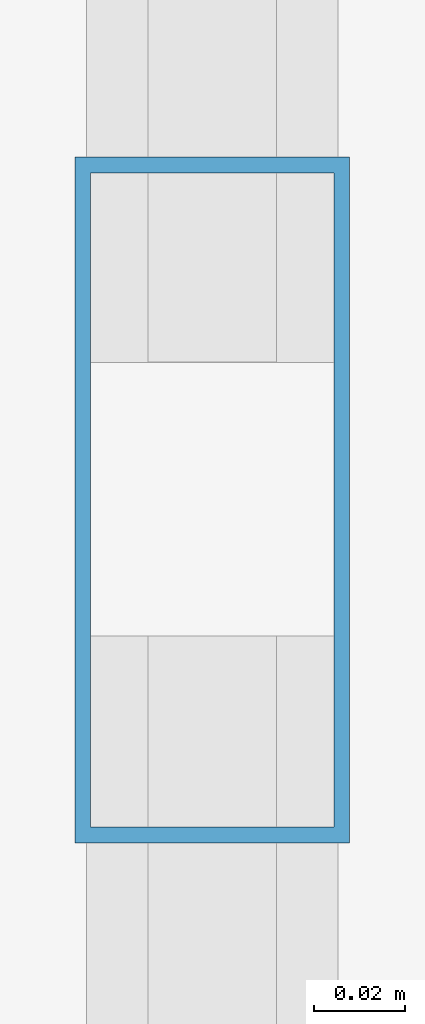
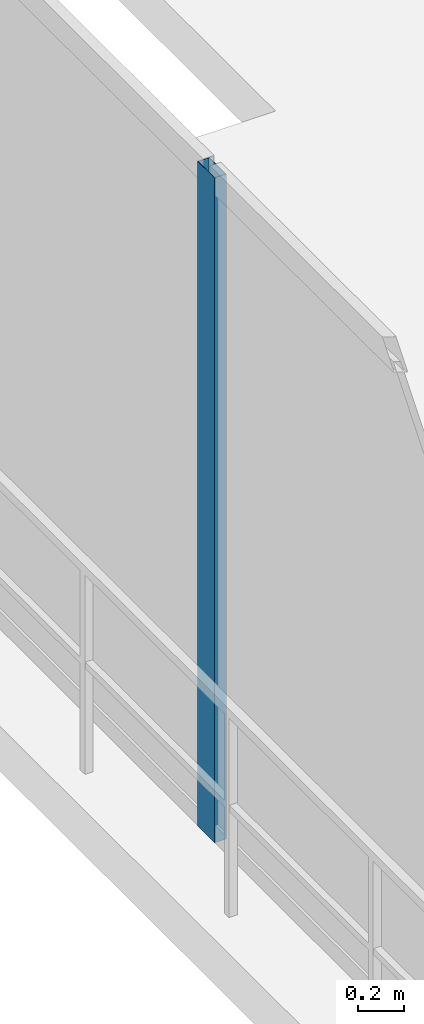
# One storey, part 10 of 27: 1 member, 1 element without a shape of its own.
"""IFC4 building model written with IfcOpenShell, lengths in metres."""

import ifcopenshell
import ifcopenshell.guid

model = None  # the IFC model being written
_history = None  # IfcOwnerHistory: only IFC2X3 demands one
_inside = {}  # id of a spatial element -> (the spatial element, [elements in it])
_under = {}  # id of a project, library or spatial element -> (it, [spatial elements below it])
_declared = {}  # id of a project -> (the project, [libraries it declares])
_typed = {}  # id of a type object -> (the type object, [elements of that type])
_made_of = {}  # id of a material, layer set ... -> (it, [elements and type objects made of it])


def new_model(schema):
    """Start an empty IFC model of exactly this schema.

    Asked for "IFC4X3", IfcOpenShell would pick the latest addendum, in which some entities
    have other attributes; the version numbers below select the first issue.
    IFC2X3 requires an IfcOwnerHistory on every rooted entity: one is made here for all.
    """
    global model, _history
    if schema == "IFC4X3":
        model = ifcopenshell.file(schema_version=(4, 3, 0, 0))
    else:
        model = ifcopenshell.file(schema=schema)
    _inside.clear()
    _under.clear()
    _declared.clear()
    _typed.clear()
    _made_of.clear()
    _history = None
    if model.schema == "IFC2X3":
        org = make("IfcOrganization", Name="unknown")
        user = make(
            "IfcPersonAndOrganization",
            ThePerson=make("IfcPerson", FamilyName="unknown"),
            TheOrganization=org,
        )
        app = make(
            "IfcApplication",
            ApplicationDeveloper=org,
            Version="unknown",
            ApplicationFullName="unknown",
            ApplicationIdentifier="unknown",
        )
        _history = make(
            "IfcOwnerHistory",
            OwningUser=user,
            OwningApplication=app,
            ChangeAction="ADDED",
            CreationDate=0,
        )
    return model


def make(cls, **values):
    """One entity of the class cls with the attributes given. An attribute that is None is left unset."""
    return model.create_entity(
        cls, **{name: value for name, value in values.items() if value is not None}
    )


def rooted(cls, **values):
    """An entity with a GlobalId (a new one), such as an element, a storey or a relation."""
    return make(cls, GlobalId=ifcopenshell.guid.new(), OwnerHistory=_history, **values)


def si_unit(unit_type, name, prefix=None):
    """IfcSIUnit, for example si_unit("LENGTHUNIT", "METRE", prefix="MILLI")."""
    return make("IfcSIUnit", UnitType=unit_type, Prefix=prefix, Name=name)


def assignment(units):
    """IfcUnitAssignment: the units of a project."""
    return None if units is None else make("IfcUnitAssignment", Units=units)


def point(xyz):
    """IfcCartesianPoint."""
    return None if xyz is None else make("IfcCartesianPoint", Coordinates=xyz)


def direction(xyz):
    """IfcDirection."""
    return None if xyz is None else make("IfcDirection", DirectionRatios=xyz)


def frame(location, z_axis=None, x_axis=None):
    """IfcAxis2Placement3D, a coordinate frame: its origin and axes. An axis left out is left unset."""
    return make(
        "IfcAxis2Placement3D",
        Location=point(location),
        Axis=direction(z_axis),
        RefDirection=direction(x_axis),
    )


def frame_2d(location, x_axis=None):
    """IfcAxis2Placement2D, a coordinate frame in the plane: its origin and x axis."""
    return make(
        "IfcAxis2Placement2D", Location=point(location), RefDirection=direction(x_axis)
    )


def origin():
    """The frame at (0, 0, 0) with its axes left unset."""
    return frame((0.0, 0.0, 0.0))


def origin_2d():
    """The frame at (0, 0) in the plane with its x axis left unset."""
    return frame_2d((0.0, 0.0))


def place(relative_to, where):
    """IfcLocalPlacement: puts the frame where relative to a parent placement (None: the world)."""
    return make(
        "IfcLocalPlacement", PlacementRelTo=relative_to, RelativePlacement=where
    )


def context(
    kind, dimensions, precision=None, world=None, true_north=None, identifier=None
):
    """IfcGeometricRepresentationContext, for example the 3D "Model" context."""
    return make(
        "IfcGeometricRepresentationContext",
        ContextIdentifier=identifier,
        ContextType=kind,
        CoordinateSpaceDimension=dimensions,
        Precision=precision,
        WorldCoordinateSystem=world,
        TrueNorth=true_north,
    )


def subcontext(parent, identifier, kind, view, scale=None):
    """IfcGeometricRepresentationSubContext, for example "Body" below "Model"."""
    return make(
        "IfcGeometricRepresentationSubContext",
        ContextIdentifier=identifier,
        ContextType=kind,
        ParentContext=parent,
        TargetScale=scale,
        TargetView=view,
    )


def project(units=None, contexts=None):
    """IfcProject with its units and contexts."""
    return rooted(
        "IfcProject",
        Name="project",
        RepresentationContexts=contexts,
        UnitsInContext=assignment(units),
    )


def spatial(cls, under=None, at=None, **own):
    """A site, building, storey or space (cls), placed at a placement, below another one or the project."""
    s = rooted(cls, ObjectPlacement=at, **own)
    if under is not None:
        _under.setdefault(under.id(), (under, []))[1].append(s)
    return s


def profile(cls, at=None, kind="AREA", **sizes):
    """A parametric profile (cls). Its sizes go by their IFC names, for example OverallWidth=200.0."""
    return make(cls, ProfileType=kind, Position=at, **sizes)


def hollow_rectangle(**sizes):
    """IfcRectangleHollowProfileDef."""
    return profile("IfcRectangleHollowProfileDef", **sizes)


def extrude(swept, where, along, depth):
    """IfcExtrudedAreaSolid: the profile swept, set in the frame where, extruded along a direction by depth."""
    return make(
        "IfcExtrudedAreaSolid",
        SweptArea=swept,
        Position=where,
        ExtrudedDirection=direction(along),
        Depth=depth,
    )


def shape(context_of_items, identifier, shape_type, items):
    """IfcShapeRepresentation: the items that make up one representation, for example the "Body"."""
    return make(
        "IfcShapeRepresentation",
        ContextOfItems=context_of_items,
        RepresentationIdentifier=identifier,
        RepresentationType=shape_type,
        Items=items,
    )


def material(Name=None, Category=None):
    """IfcMaterial."""
    return make("IfcMaterial", Name=Name, Category=Category)


def layer(
    of_material, thickness, ventilated=None, Name=None, Category=None, Priority=None
):
    """IfcMaterialLayer: one layer of a wall or slab, of a material (None: an air gap)."""
    return make(
        "IfcMaterialLayer",
        Material=of_material,
        LayerThickness=thickness,
        IsVentilated=ventilated,
        Name=Name,
        Category=Category,
        Priority=Priority,
    )


def layer_set(layers, Name=None):
    """IfcMaterialLayerSet."""
    return make("IfcMaterialLayerSet", MaterialLayers=layers, LayerSetName=Name)


def material_profile(
    of_material, cross_section, Name=None, Category=None, Priority=None
):
    """IfcMaterialProfile: a cross section and its material."""
    return make(
        "IfcMaterialProfile",
        Name=Name,
        Material=of_material,
        Profile=cross_section,
        Priority=Priority,
        Category=Category,
    )


def profile_set(profiles, Name=None, composite=None):
    """IfcMaterialProfileSet."""
    return make(
        "IfcMaterialProfileSet",
        Name=Name,
        MaterialProfiles=profiles,
        CompositeProfile=composite,
    )


def made_of(thing, what):
    """Note that an element or type object is made of a material, layer set ...; save() writes the relation."""
    if what is not None:
        _made_of.setdefault(what.id(), (what, []))[1].append(thing)
    return thing


def type_object(cls, material=None, **own):
    """A type object (cls), such as IfcWallType, which elements share."""
    return made_of(rooted(cls, **own), material)


def element(
    cls,
    number,
    at=None,
    inside=None,
    cuts=None,
    type_object=None,
    material=None,
    context=None,
    identifier="Body",
    shape_type=None,
    held_by="IfcProductDefinitionShape",
    body=None,
    shapes=None,
    **own,
):
    """One element of the class cls, such as IfcWall. Its Tag is "e" and its number.

    at: its placement. inside: the storey or other place that contains it. cuts: it is an
    opening in that element (IfcRelVoidsElement). A single representation is given by context,
    identifier, shape_type and body (its items); several are given by shapes. held_by: the class
    of the entity that holds the representations. save() writes the other relations.
    """
    e = rooted(cls, Tag="e%d" % number, ObjectPlacement=at, **own)
    if body is not None:
        shapes = [shape(context, identifier, shape_type, body)]
    if shapes is not None:
        e.Representation = make(held_by, Representations=shapes)
    if inside is not None:
        _inside.setdefault(inside.id(), (inside, []))[1].append(e)
    if cuts is not None:
        rooted(
            "IfcRelVoidsElement", RelatingBuildingElement=cuts, RelatedOpeningElement=e
        )
    if type_object is not None:
        _typed.setdefault(type_object.id(), (type_object, []))[1].append(e)
    return made_of(e, material)


def aggregate(whole, parts):
    """IfcRelAggregates: a whole, such as a stair, and the parts it consists of."""
    return rooted("IfcRelAggregates", RelatingObject=whole, RelatedObjects=parts)


def save(model, path):
    """Write the relations noted so far, then the file.

    IfcRelAggregates (storeys below a building ...), IfcRelContainedInSpatialStructure (elements
    in a storey), IfcRelDefinesByType, IfcRelAssociatesMaterial and IfcRelDeclares: one each for
    every whole, place, type object, material and project.
    """
    for whole, parts in _under.values():
        aggregate(whole, parts)
    for where, things in _inside.values():
        rooted(
            "IfcRelContainedInSpatialStructure",
            RelatedElements=things,
            RelatingStructure=where,
        )
    for kind, things in _typed.values():
        rooted("IfcRelDefinesByType", RelatedObjects=things, RelatingType=kind)
    for what, things in _made_of.values():
        rooted("IfcRelAssociatesMaterial", RelatedObjects=things, RelatingMaterial=what)
    for by, libraries in _declared.values():
        rooted("IfcRelDeclares", RelatingContext=by, RelatedDefinitions=libraries)
    model.write(path)


model = new_model("IFC4")

# Units and contexts
model_context = context("Model", 3, precision=1e-05, world=origin(), true_north=direction((0.0, 1.0)))
body_context = subcontext(model_context, "Body", "Model", "MODEL_VIEW")
ifc_project = project(units=[si_unit("LENGTHUNIT", "METRE"), si_unit("AREAUNIT", "SQUARE_METRE"), si_unit("VOLUMEUNIT", "CUBIC_METRE"), si_unit("PLANEANGLEUNIT", "RADIAN"), si_unit("MASSUNIT", "GRAM", prefix="KILO")], contexts=[model_context])

# Site, building, storey
site_placement = place(None, origin())
site = spatial("IfcSite", under=ifc_project, at=site_placement, CompositionType="ELEMENT")
building_placement = place(site_placement, origin())
building = spatial("IfcBuilding", under=site, at=building_placement, Name="Zuhayl Quay Hotel", CompositionType="ELEMENT")
storey_placement = place(building_placement, frame((0.0, 0.0, 297.25)))
storey = spatial("IfcBuildingStorey", under=building, at=storey_placement, Name="Crown 1", CompositionType="ELEMENT", Elevation=297.25)

# Curtain wall, member
ifc_material_1 = material(Name="Anodised Aluminium 6063-T6", Category="aluminium")
ifc_layer = layer(ifc_material_1, 0.159912109375, Name="Anodised Aluminium 6063-T6", Category="aluminium")
ifc_layer_set = layer_set([ifc_layer], Name="Anodised Aluminium 6063-T6")
curtain_wall_type = type_object("IfcCurtainWallType", Name="CW_SYS_CRN", PredefinedType="USERDEFINED", material=ifc_layer_set)
curtain_wall_placement = place(storey_placement, origin())
curtain_wall = element("IfcCurtainWall", 1, at=curtain_wall_placement, inside=storey, type_object=curtain_wall_type, Name="Crown 1 Curtain Wall ENV_CR1_E1_CW2", ObjectType="UNITISED CURTAIN WALL", PredefinedType="USERDEFINED")
ifc_material_2 = material(Name="Black-anodised aluminium 6063-T6", Category="aluminium")
ifc_material_profile = material_profile(ifc_material_2, hollow_rectangle(XDim=0.06005859375, YDim=0.14990234375, WallThickness=0.00341796875, at=origin_2d()), Name="ALU150X60")
ifc_profile_set = profile_set([ifc_material_profile], Name="Black-anodised aluminium 6063-T6")
member_type = type_object("IfcMemberType", Name="MB_CW_MUL_150", PredefinedType="MULLION", material=ifc_profile_set)
member_placement = place(storey_placement, frame((-19.800048828125, 30.96240234375, 0.0), z_axis=(0.0, 0.0, 1.0), x_axis=(-1.0, 0.0, 0.0)))
member = element("IfcMember", 2, at=member_placement, type_object=member_type, Name="CW-CRN mullion 4", PredefinedType="MULLION", context=body_context, shape_type="SweptSolid", body=[
    extrude(hollow_rectangle(XDim=0.06005859375, YDim=0.14990234375, WallThickness=0.00341796875, at=origin_2d()), origin(), (0.0, 0.0, 1.0), 3.56005859375),
])
aggregate(curtain_wall, [member])

save(model, "model.ifc")
